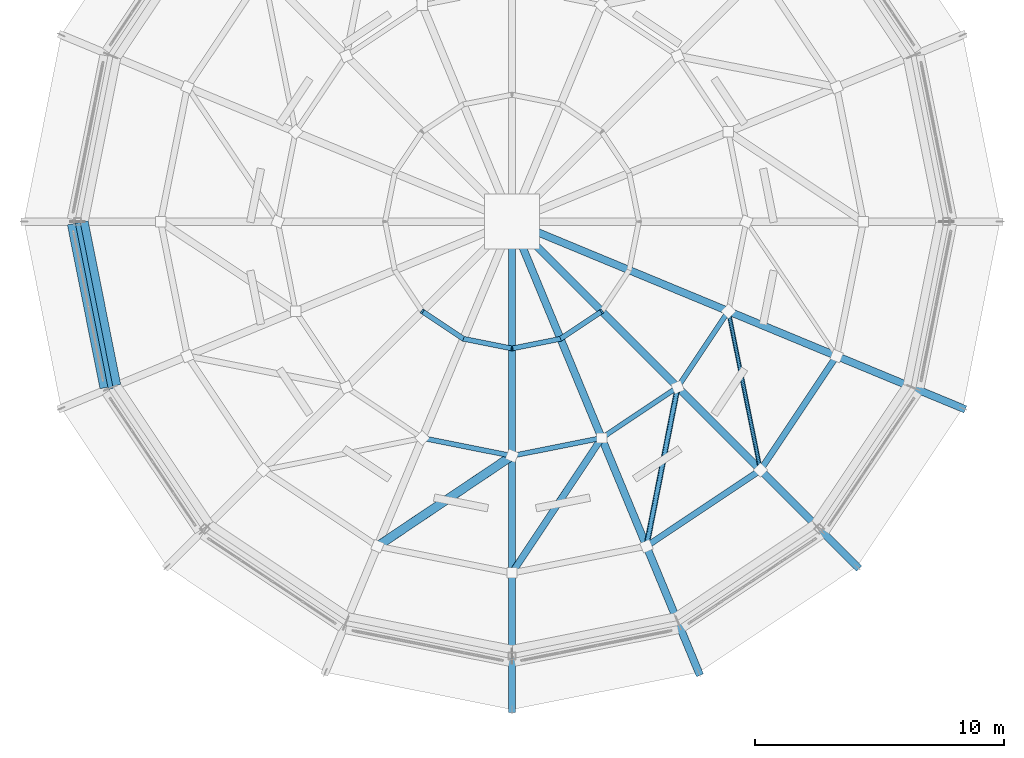
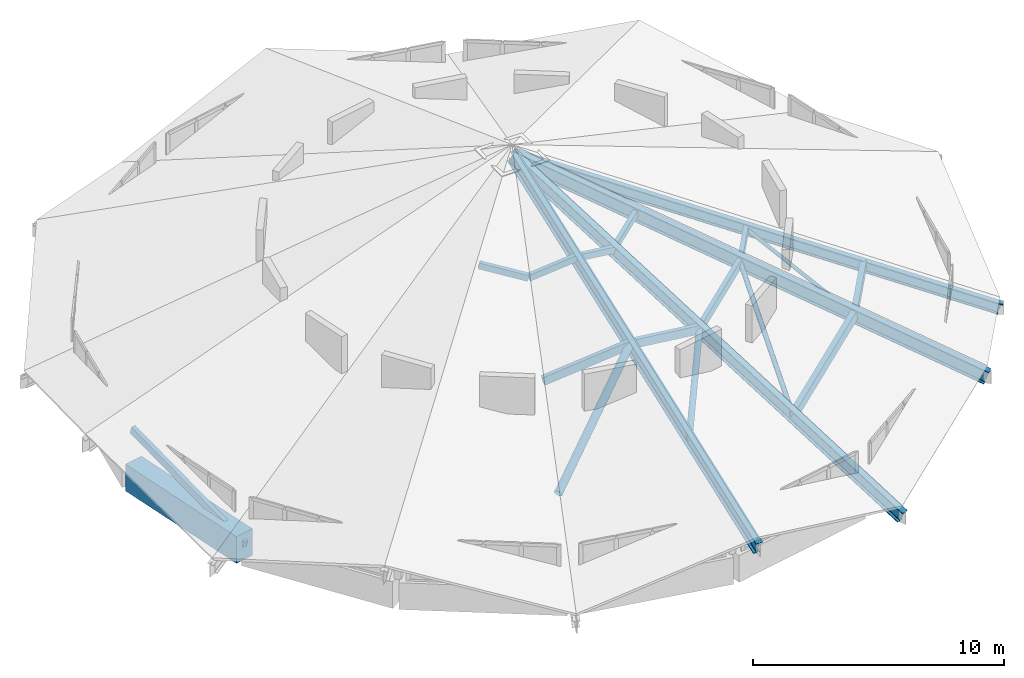
# One storey, part 3 of 18: 19 members, 1 beam.
"""IFC4 building model written with IfcOpenShell, lengths in metres."""

from ifc_helpers import new_model, si_unit, direction, frame, origin, origin_2d, place, context, subcontext, project, spatial, rectangle, hollow_rectangle, hollow_circle, i_section, extrude, material, material_profile, profile_set, type_object, element, save


model = new_model("IFC4")

# Units and contexts
model_context = context("Model", 3, precision=1e-05, world=origin(), true_north=direction((0.0, 1.0)))
body_context = subcontext(model_context, "Body", "Model", "MODEL_VIEW")
ifc_project = project(units=[si_unit("LENGTHUNIT", "METRE"), si_unit("AREAUNIT", "SQUARE_METRE"), si_unit("VOLUMEUNIT", "CUBIC_METRE"), si_unit("PLANEANGLEUNIT", "RADIAN"), si_unit("MASSUNIT", "GRAM", prefix="KILO")], contexts=[model_context])

# Site, building, storey
site_placement = place(None, origin())
site = spatial("IfcSite", under=ifc_project, at=site_placement, CompositionType="ELEMENT")
building_placement = place(site_placement, origin())
building = spatial("IfcBuilding", under=site, at=building_placement, Name="Soyqirgoq Riverine Aquarium", CompositionType="ELEMENT")
storey_placement = place(building_placement, frame((0.0, 0.0, 29.39990234375)))
storey = spatial("IfcBuildingStorey", under=building, at=storey_placement, Name="RF", CompositionType="ELEMENT", Elevation=29.39990234375)

# Members
ifc_material_1 = material(Name="Structural steel S355", Category="steel")
ifc_material_profile_1 = material_profile(ifc_material_1, hollow_rectangle(XDim=0.199951171875, YDim=0.300048828125, WallThickness=0.011962890625, at=origin_2d()), Name="RHS 300x200x12")
ifc_profile_set_1 = profile_set([ifc_material_profile_1], Name="Structural steel S355")
member_type_1 = type_object("IfcMemberType", Name="ApexRing_RHS300x200", PredefinedType="STRUT", material=ifc_profile_set_1)
for number, where, z_axis, x_axis, name in (
    (1, (52.396484375, 53.396484375, 6.80810546875), (0.804462441475, -0.537417023809, -0.253027909088), (0.555493344045, 0.831520982731, 0.0), "V1 Folded-Plate Circumferential Ring Chord 0114"),
    (2, (54.0498046875, 52.2919921875, 6.2880859375), (0.948870504923, -0.18875253284, 0.25301629638), (0.195100716701, 0.980783212715, 0.0), "V1 Folded-Plate Circumferential Ring Chord 0119"),
    (3, (56.0, 51.904052734375, 6.80810546875), (0.948870504923, 0.18875253284, -0.25301629638), (-0.195100716701, 0.980783212715, 0.0), "V1 Folded-Plate Circumferential Ring Chord 0124"),
    (4, (57.9501953125, 52.2919921875, 6.2880859375), (0.804462441475, 0.537417023809, 0.253027909088), (-0.555493344045, 0.831520982731, 0.0), "V1 Folded-Plate Circumferential Ring Chord 0129"),
):
    element("IfcMember", number, at=place(storey_placement, frame(where, z_axis=z_axis, x_axis=x_axis)), inside=storey, type_object=member_type_1, Name=name, PredefinedType="STRUT", context=body_context, shape_type="SweptSolid", body=[
        extrude(hollow_rectangle(XDim=0.199951171875, YDim=0.300048828125, WallThickness=0.011962890625, at=origin_2d()), origin(), (0.0, 0.0, 1.0), 2.05517578125),
    ])
ifc_material_2 = material(Name="Structural steel S355", Category="steel")
ifc_material_profile_2 = material_profile(ifc_material_2, hollow_circle(Radius=0.084228515625, WallThickness=0.008056640625, at=origin_2d()), Name="CHS 168.3x8")
ifc_profile_set_2 = profile_set([ifc_material_profile_2], Name="Structural steel S355")
member_type_2 = type_object("IfcMemberType", Name="Brace_CHS168", PredefinedType="BRACE", material=ifc_profile_set_2)
member_1_placement = place(storey_placement, frame((65.978759765625, 47.021240234375, 3.47607421875), z_axis=(-0.196404663167, 0.97349046289, 0.117224259215), x_axis=(-0.980248818513, -0.197768181979, 0.0)))
element("IfcMember", 5, at=member_1_placement, inside=storey, type_object=member_type_2, Name="V1 Folded-Plate Lateral Brace 15", PredefinedType="BRACE", context=body_context, shape_type="SweptSolid", body=[
    extrude(hollow_circle(Radius=0.084228515625, WallThickness=0.008056640625, at=origin_2d()), origin(), (0.0, 0.0, 1.0), 6.552001953125),
])
ifc_material_3 = material(Name="Structural steel S355", Category="steel")
ifc_material_profile_3 = material_profile(ifc_material_3, hollow_circle(Radius=0.109619140625, WallThickness=0.010009765625, at=origin_2d()), Name="CHS 219.1x10")
ifc_profile_set_3 = profile_set([ifc_material_profile_3], Name="Structural steel S355")
member_type_3 = type_object("IfcMemberType", Name="Brace_CHS219", PredefinedType="BRACE", material=ifc_profile_set_3)
member_2_placement = place(storey_placement, frame((61.400390625, 43.962158203125, 2.0361328125), z_axis=(0.173024935336, 0.88229560514, 0.437740604584), x_axis=(-0.981308331683, 0.192442090434, 0.0)))
element("IfcMember", 6, at=member_2_placement, inside=storey, type_object=member_type_3, Name="V1 Folded-Plate Lateral Brace 14", PredefinedType="BRACE", context=body_context, shape_type="SweptSolid", body=[
    extrude(hollow_circle(Radius=0.109619140625, WallThickness=0.010009765625, at=origin_2d()), origin(), (0.0, 0.0, 1.0), 7.237060546875),
])
ifc_material_4 = material(Name="Structural steel S355", Category="steel")
ifc_material_profile_4 = material_profile(ifc_material_4, hollow_circle(Radius=0.136474609375, WallThickness=0.012451171875, at=origin_2d()), Name="CHS 273x12.5")
ifc_profile_set_4 = profile_set([ifc_material_profile_4], Name="Structural steel S355")
member_type_4 = type_object("IfcMemberType", Name="Brace_CHS273", PredefinedType="BRACE", material=ifc_profile_set_4)
member_3_placement = place(storey_placement, frame((56.0, 42.887939453125, 3.47607421875), z_axis=(0.549490667059, 0.827235525828, 0.117223682008), x_axis=(-0.832978464715, 0.553305410529, 0.0)))
element("IfcMember", 7, at=member_3_placement, inside=storey, type_object=member_type_4, Name="V1 Folded-Plate Lateral Brace 13", PredefinedType="BRACE", context=body_context, shape_type="SweptSolid", body=[
    extrude(hollow_circle(Radius=0.136474609375, WallThickness=0.012451171875, at=origin_2d()), origin(), (0.0, 0.0, 1.0), 6.55224609375),
])
ifc_material_5 = material(Name="Structural steel S355", Category="steel")
ifc_material_profile_5 = material_profile(ifc_material_5, i_section(OverallWidth=0.300048828125, OverallDepth=0.5, WebThickness=0.014404296875, FlangeThickness=0.028076171875, FilletRadius=0.027099609375, at=origin_2d()), Name="HEB 500")
ifc_profile_set_5 = profile_set([ifc_material_profile_5], Name="Structural steel S355")
member_type_5 = type_object("IfcMemberType", Name="FoldChord_HEB500", PredefinedType="CHORD", material=ifc_profile_set_5)
member_4_placement = place(storey_placement, frame((74.10791015625, 49.49951171875, -0.52001953125), z_axis=(-0.836326324469, 0.346415226376, 0.42491736836), x_axis=(-0.382681094144, -0.923880501031, 0.0)))
element("IfcMember", 8, at=member_4_placement, inside=storey, type_object=member_type_5, Name="V1 Radial Folded-Plate Valley Rib 16", PredefinedType="CHORD", context=body_context, shape_type="SweptSolid", body=[
    extrude(i_section(OverallWidth=0.300048828125, OverallDepth=0.5, WebThickness=0.014404296875, FlangeThickness=0.028076171875, FilletRadius=0.027099609375, at=origin_2d()), origin(), (0.0, 0.0, 1.0), 21.651611328125),
])
ifc_material_6 = material(Name="Structural steel S355", Category="steel")
ifc_material_profile_6 = material_profile(ifc_material_6, i_section(OverallWidth=0.300048828125, OverallDepth=0.60009765625, WebThickness=0.015380859375, FlangeThickness=0.030029296875, FilletRadius=0.027099609375, at=origin_2d()), Name="HEB 600")
ifc_profile_set_6 = profile_set([ifc_material_profile_6], Name="Structural steel S355")
member_type_6 = type_object("IfcMemberType", Name="FoldChord_HEB600", PredefinedType="CHORD", material=ifc_profile_set_6)
member_5_placement = place(storey_placement, frame((63.50048828125, 38.89208984375, -0.52001953125), z_axis=(-0.346415226376, 0.836326324469, 0.42491736836), x_axis=(-0.923880501031, -0.382681094144, 0.0)))
element("IfcMember", 9, at=member_5_placement, inside=storey, type_object=member_type_6, Name="V1 Radial Folded-Plate Valley Rib 14", PredefinedType="CHORD", context=body_context, shape_type="SweptSolid", body=[
    extrude(i_section(OverallWidth=0.300048828125, OverallDepth=0.60009765625, WebThickness=0.015380859375, FlangeThickness=0.030029296875, FilletRadius=0.027099609375, at=origin_2d()), origin(), (0.0, 0.0, 1.0), 21.651611328125),
])
ifc_material_7 = material(Name="Structural steel S355", Category="steel")
ifc_material_profile_7 = material_profile(ifc_material_7, i_section(OverallWidth=0.300048828125, OverallDepth=0.64990234375, WebThickness=0.01611328125, FlangeThickness=0.031005859375, FilletRadius=0.027099609375, at=origin_2d()), Name="HEB 650")
ifc_profile_set_7 = profile_set([ifc_material_profile_7], Name="Structural steel S355")
member_type_7 = type_object("IfcMemberType", Name="FoldChord_HEB650", PredefinedType="CHORD", material=ifc_profile_set_7)
for number, where, z_axis, x_axis, name in (
    (10, (56.0, 37.39990234375, 1.47998046875), (0.0, 0.938667288056, 0.34482419047), (-1.0, 0.0, 0.0), "V1 Radial Folded-Plate Ridge Rib 13"),
    (11, (69.859375, 43.140625, 1.47998046875), (-0.663738078891, 0.663738078891, 0.344823904711), (-0.707106781187, -0.707106781187, 0.0), "V1 Radial Folded-Plate Ridge Rib 15"),
):
    element("IfcMember", number, at=place(storey_placement, frame(where, z_axis=z_axis, x_axis=x_axis)), inside=storey, type_object=member_type_7, Name=name, PredefinedType="CHORD", context=body_context, shape_type="SweptSolid", body=[
        extrude(i_section(OverallWidth=0.300048828125, OverallDepth=0.64990234375, WebThickness=0.01611328125, FlangeThickness=0.031005859375, FilletRadius=0.027099609375, at=origin_2d()), origin(), (0.0, 0.0, 1.0), 20.880859375),
    ])
ifc_material_8 = material(Name="Structural steel S355", Category="steel")
ifc_material_profile_8 = material_profile(ifc_material_8, hollow_rectangle(XDim=0.199951171875, YDim=0.35009765625, WallThickness=0.012451171875, at=origin_2d()), Name="RHS 350x200x12.5")
ifc_profile_set_8 = profile_set([ifc_material_profile_8], Name="Structural steel S355")
member_type_8 = type_object("IfcMemberType", Name="GableChord_RHS350x200", PredefinedType="CHORD", material=ifc_profile_set_8)
member_6_placement = place(storey_placement, frame((38.550048828125, 57.0, 1.47998046875), z_axis=(0.187193232054, -0.941023577126, -0.281839176068), x_axis=(0.980782886305, 0.195102357575, 0.0)))
element("IfcMember", 12, at=member_6_placement, inside=storey, type_object=member_type_8, Name="V1 Folded-Plate Gable Edge Chord 09", PredefinedType="CHORD", context=body_context, shape_type="SweptSolid", body=[
    extrude(hollow_rectangle(XDim=0.199951171875, YDim=0.35009765625, WallThickness=0.012451171875, at=origin_2d()), origin(), (0.0, 0.0, 1.0), 7.09619140625),
])

# Beam
ifc_material_9 = material(Name="Concrete C40/50", Category="concrete")
ifc_material_profile_9 = material_profile(ifc_material_9, rectangle(XDim=0.85009765625, YDim=1.300048828125, at=origin_2d()), Name="RC 850x1300")
ifc_profile_set_9 = profile_set([ifc_material_profile_9], Name="Concrete C40/50")
beam_type = type_object("IfcBeamType", Name="Girder_RC_850x1300", PredefinedType="BEAM", material=ifc_profile_set_9)
beam_placement = place(storey_placement, frame((38.559814453125, 56.950927734375, -0.64990234375), z_axis=(0.195059263618, -0.980791457792, 0.0), x_axis=(0.980791457792, 0.195059263618, 0.0)))
element("IfcBeam", 13, at=beam_placement, inside=storey, type_object=beam_type, Name="V1 RF Folded-Plate Compression Ring Girder 0162", PredefinedType="BEAM", context=body_context, shape_type="SweptSolid", body=[
    extrude(rectangle(XDim=0.85009765625, YDim=1.300048828125, at=origin_2d()), origin(), (0.0, 0.0, 1.0), 6.708740234375),
])

# Members
ifc_material_10 = material(Name="Structural steel S355", Category="steel")
ifc_material_profile_10 = material_profile(ifc_material_10, hollow_rectangle(XDim=0.199951171875, YDim=0.39990234375, WallThickness=0.013916015625, at=origin_2d()), Name="RHS 400x200x14")
ifc_profile_set_10 = profile_set([ifc_material_profile_10], Name="Structural steel S355")
member_type_9 = type_object("IfcMemberType", Name="RingChord_RHS400x200", PredefinedType="CHORD", material=ifc_profile_set_10)
for number, where, z_axis, x_axis, name in (
    (14, (52.399658203125, 48.30810546875, 4.26416015625), (0.948880969516, -0.188720952302, 0.253000608404), (0.195067246823, 0.980789870062, 0.0), "V1 Folded-Plate Circumferential Ring Chord 0118"),
    (15, (56.0, 47.592041015625, 5.22412109375), (0.948880969516, 0.188720952302, -0.253000608404), (-0.195067246823, 0.980789870062, 0.0), "V1 Folded-Plate Circumferential Ring Chord 0123"),
    (16, (59.600341796875, 48.30810546875, 4.26416015625), (0.804435158773, 0.537469755338, 0.253002643121), (-0.555544054903, 0.831487103364, 0.0), "V1 Folded-Plate Circumferential Ring Chord 0128"),
    (17, (62.652587890625, 50.347412109375, 5.22412109375), (0.537469755338, 0.804435158773, -0.253002643121), (-0.831487103364, 0.555544054903, 0.0), "V1 Folded-Plate Circumferential Ring Chord 0133"),
):
    element("IfcMember", number, at=place(storey_placement, frame(where, z_axis=z_axis, x_axis=x_axis)), inside=storey, type_object=member_type_9, Name=name, PredefinedType="CHORD", context=body_context, shape_type="SweptSolid", body=[
        extrude(hollow_rectangle(XDim=0.199951171875, YDim=0.39990234375, WallThickness=0.013916015625, at=origin_2d()), origin(), (0.0, 0.0, 1.0), 3.794189453125),
    ])
ifc_material_11 = material(Name="Structural steel S355", Category="steel")
ifc_material_profile_11 = material_profile(ifc_material_11, hollow_rectangle(XDim=0.25, YDim=0.449951171875, WallThickness=0.01611328125, at=origin_2d()), Name="RHS 450x250x16")
ifc_profile_set_11 = profile_set([ifc_material_profile_11], Name="Structural steel S355")
member_type_10 = type_object("IfcMemberType", Name="RingChord_RHS450x250", PredefinedType="CHORD", material=ifc_profile_set_11)
for number, where, z_axis, x_axis, name in (
    (18, (61.400390625, 43.962158203125, 2.05615234375), (0.804425885426, 0.537485007433, 0.252999726563), (-0.555559381925, 0.831476862669, 0.0), "V1 Folded-Plate Circumferential Ring Chord 0127"),
    (19, (65.978759765625, 47.021240234375, 3.49609375), (0.537485007433, 0.804425885426, -0.252999726563), (-0.831476862669, 0.555559381925, 0.0), "V1 Folded-Plate Circumferential Ring Chord 0132"),
):
    element("IfcMember", number, at=place(storey_placement, frame(where, z_axis=z_axis, x_axis=x_axis)), inside=storey, type_object=member_type_10, Name=name, PredefinedType="CHORD", context=body_context, shape_type="SweptSolid", body=[
        extrude(hollow_rectangle(XDim=0.25, YDim=0.449951171875, WallThickness=0.01611328125, at=origin_2d()), origin(), (0.0, 0.0, 1.0), 5.69140625),
    ])
ifc_material_12 = material(Name="Structural steel S355", Category="steel")
ifc_material_profile_12 = material_profile(ifc_material_12, hollow_circle(Radius=0.177734375, WallThickness=0.01611328125, at=origin_2d()), Name="CHS 355.6x16")
ifc_profile_set_12 = profile_set([ifc_material_profile_12], Name="Structural steel S355")
member_type_11 = type_object("IfcMemberType", Name="Strut_CHS355", PredefinedType="STRUT", material=ifc_profile_set_12)
member_7_placement = place(storey_placement, frame((50.599609375, 43.962158203125, 2.0361328125), z_axis=(0.746204375448, 0.501562687801, 0.437737250263), x_axis=(-0.557847899892, 0.829943203229, 0.0)))
element("IfcMember", 20, at=member_7_placement, inside=storey, type_object=member_type_11, Name="V1 Folded-Plate Lateral Brace 12", PredefinedType="STRUT", context=body_context, shape_type="SweptSolid", body=[
    extrude(hollow_circle(Radius=0.177734375, WallThickness=0.01611328125, at=origin_2d()), origin(), (0.0, 0.0, 1.0), 7.237060546875),
])

save(model, "model.ifc")
